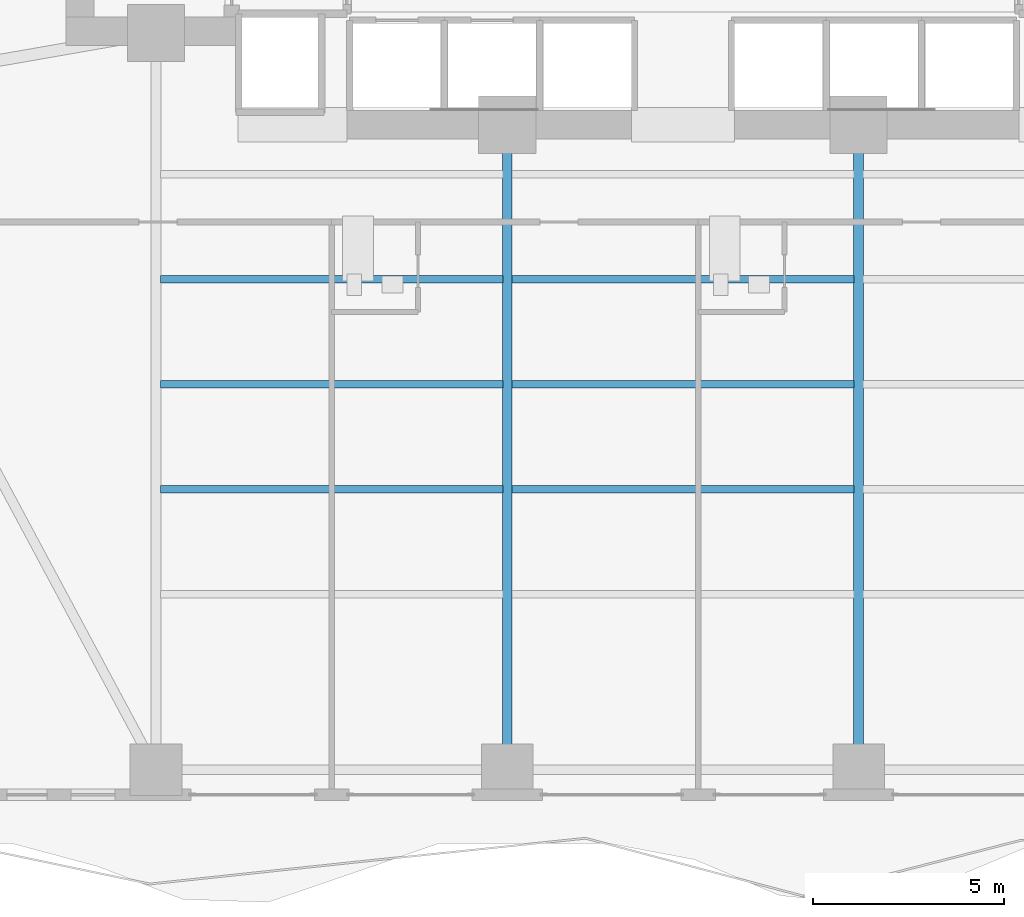
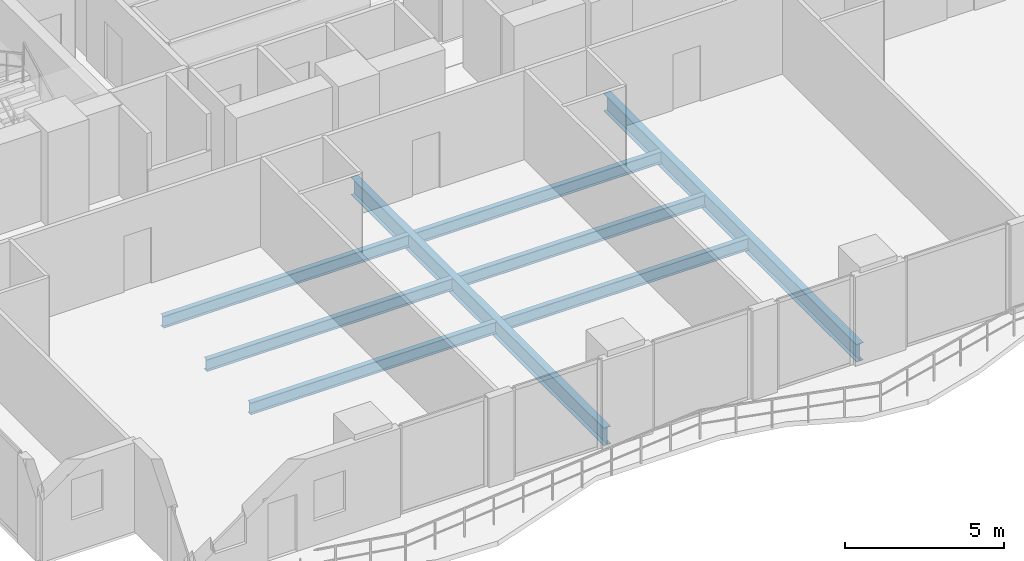
# One storey, part 6 of 28: 8 beams.
"""IFC4 building model written with IfcOpenShell, lengths in metres."""

from ifc_helpers import new_model, si_unit, direction, frame, origin, origin_2d, place, context, subcontext, project, spatial, i_section, extrude, material, material_profile, profile_set, type_object, element, save


model = new_model("IFC4")

# Units and contexts
model_context = context("Model", 3, precision=1e-05, world=origin(), true_north=direction((0.0, 1.0)))
body_context = subcontext(model_context, "Body", "Model", "MODEL_VIEW")
ifc_project = project(units=[si_unit("LENGTHUNIT", "METRE"), si_unit("AREAUNIT", "SQUARE_METRE"), si_unit("VOLUMEUNIT", "CUBIC_METRE"), si_unit("PLANEANGLEUNIT", "RADIAN"), si_unit("MASSUNIT", "GRAM", prefix="KILO")], contexts=[model_context])

# Site, building, storey
site_placement = place(None, origin())
site = spatial("IfcSite", under=ifc_project, at=site_placement, CompositionType="ELEMENT")
building_placement = place(site_placement, origin())
building = spatial("IfcBuilding", under=site, at=building_placement, Name="Zuhayl Quay Hotel", CompositionType="ELEMENT")
storey_placement = place(building_placement, frame((0.0, 0.0, 121.199951171875)))
storey = spatial("IfcBuildingStorey", under=building, at=storey_placement, Name="L30", CompositionType="ELEMENT", Elevation=121.199951171875)

# Beams
ifc_material = material(Name="Steel ASTM A992 Grade 50", Category="steel")
ifc_material_profile_1 = material_profile(ifc_material, i_section(OverallWidth=0.25390625, OverallDepth=0.68310546875, WebThickness=0.012451171875, FlangeThickness=0.018798828125, at=origin_2d()), Name="W27X94")
ifc_profile_set_1 = profile_set([ifc_material_profile_1], Name="Steel ASTM A992 Grade 50")
beam_type_1 = type_object("IfcBeamType", Name="BM_B2_W27X94", PredefinedType="BEAM", material=ifc_profile_set_1)
for number, where, z_axis, x_axis, name in (
    (1, (-4.60009765625, -14.25, -0.5615234375), (0.0, 1.0, 0.0), (-1.0, 0.0, 0.0), "L30 Floor Beam FG_S_L30_2"),
    (2, (4.60009765625, -14.25, -0.5615234375), (0.0, 1.0, 0.0), (-1.0, 0.0, 0.0), "L30 Floor Beam FG_S_L30_3"),
):
    element("IfcBeam", number, at=place(storey_placement, frame(where, z_axis=z_axis, x_axis=x_axis)), inside=storey, type_object=beam_type_1, Name=name, PredefinedType="BEAM", context=body_context, shape_type="SweptSolid", body=[
        extrude(i_section(OverallWidth=0.25390625, OverallDepth=0.68310546875, WebThickness=0.012451171875, FlangeThickness=0.018798828125, at=origin_2d()), origin(), (0.0, 0.0, 1.0), 15.949951171875),
    ])
ifc_material_profile_2 = material_profile(ifc_material, i_section(OverallWidth=0.18994140625, OverallDepth=0.45703125, WebThickness=0.009033203125, FlangeThickness=0.014404296875, at=origin_2d()), Name="W18X50")
ifc_profile_set_2 = profile_set([ifc_material_profile_2], Name="Steel ASTM A992 Grade 50")
beam_type_2 = type_object("IfcBeamType", Name="BM_J2_W18X50", PredefinedType="JOIST", material=ifc_profile_set_2)
for number, where, z_axis, x_axis, name in (
    (3, (-13.680908203125, -7.39990234375, -0.448486328125), (1.0, 0.0, 0.0), (0.0, 1.0, 0.0), "L30 Floor Beam FJ_L30_6_1"),
    (4, (-4.48095703125, -7.39990234375, -0.448486328125), (1.0, 0.0, 0.0), (0.0, 1.0, 0.0), "L30 Floor Beam FJ_L30_6_2"),
    (5, (-13.680908203125, -4.64990234375, -0.448486328125), (1.0, 0.0, 0.0), (0.0, 1.0, 0.0), "L30 Floor Beam FJ_L30_7_1"),
    (6, (-4.48095703125, -4.64990234375, -0.448486328125), (1.0, 0.0, 0.0), (0.0, 1.0, 0.0), "L30 Floor Beam FJ_L30_7_2"),
    (7, (-13.680908203125, -1.89990234375, -0.448486328125), (1.0, 0.0, 0.0), (0.0, 1.0, 0.0), "L30 Floor Beam FJ_L30_8_1"),
    (8, (-4.48095703125, -1.89990234375, -0.448486328125), (1.0, 0.0, 0.0), (0.0, 1.0, 0.0), "L30 Floor Beam FJ_L30_8_2"),
):
    element("IfcBeam", number, at=place(storey_placement, frame(where, z_axis=z_axis, x_axis=x_axis)), inside=storey, type_object=beam_type_2, Name=name, PredefinedType="JOIST", context=body_context, shape_type="SweptSolid", body=[
        extrude(i_section(OverallWidth=0.18994140625, OverallDepth=0.45703125, WebThickness=0.009033203125, FlangeThickness=0.014404296875, at=origin_2d()), origin(), (0.0, 0.0, 1.0), 8.9619140625),
    ])

save(model, "model.ifc")
